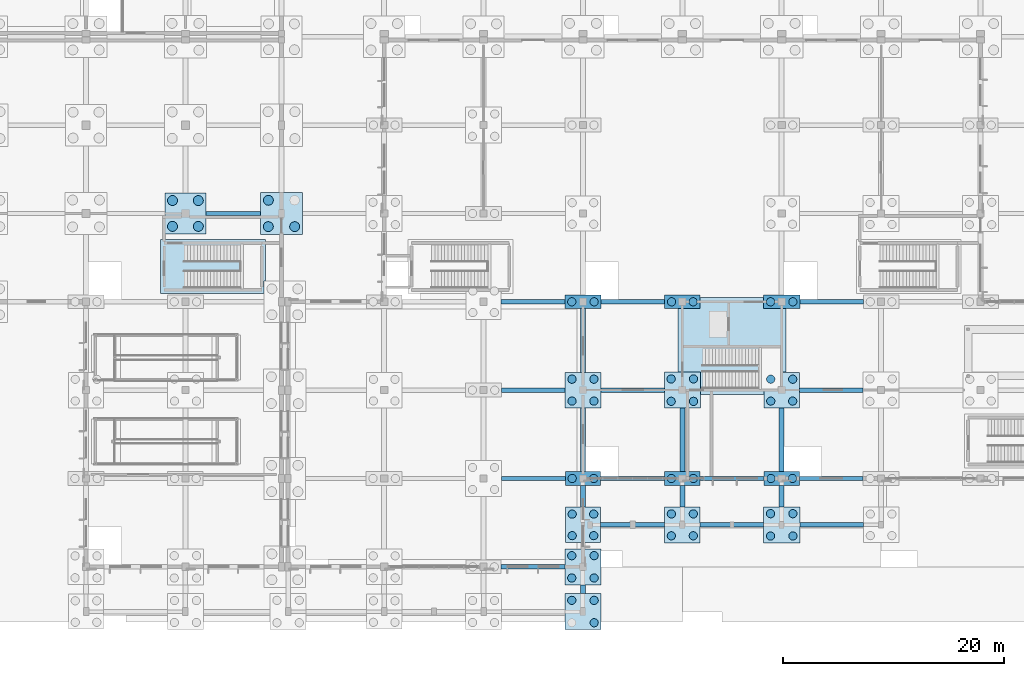
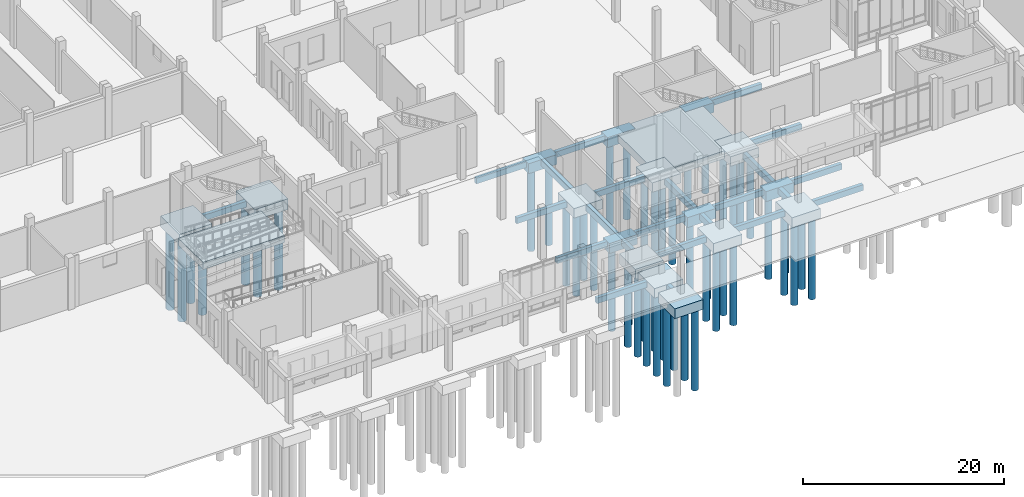
# One storey, part 5 of 99: 50 piles, 41 footings.
"""IFC4 building model written with IfcOpenShell, lengths in metres."""

from ifc_helpers import new_model, si_unit, direction, frame, origin, origin_2d, place, context, subcontext, project, spatial, polyline, rectangle, circle, outline, extrude, material, layer, layer_set, material_profile, profile_set, type_object, element, save


model = new_model("IFC4")

# Units and contexts
model_context = context("Model", 3, precision=1e-05, world=origin(), true_north=direction((0.0, 1.0)))
body_context = subcontext(model_context, "Body", "Model", "MODEL_VIEW")
ifc_project = project(units=[si_unit("LENGTHUNIT", "METRE"), si_unit("AREAUNIT", "SQUARE_METRE"), si_unit("VOLUMEUNIT", "CUBIC_METRE"), si_unit("PLANEANGLEUNIT", "RADIAN"), si_unit("MASSUNIT", "GRAM", prefix="KILO")], contexts=[model_context])

# Site, building, storey
site_placement = place(None, origin())
site = spatial("IfcSite", under=ifc_project, at=site_placement, CompositionType="ELEMENT")
building_placement = place(site_placement, origin())
building = spatial("IfcBuilding", under=site, at=building_placement, Name="Zacnel Wholesale Market", CompositionType="ELEMENT")
storey_placement = place(building_placement, origin())
storey = spatial("IfcBuildingStorey", under=building, at=storey_placement, Name="L01", CompositionType="ELEMENT", Elevation=0.0)

# Footings
ifc_material_1 = material(Name="Concrete C35/45", Category="concrete")
ifc_layer_1 = layer(ifc_material_1, 0.949951171875)
ifc_layer_set_1 = layer_set([ifc_layer_1], Name="Concrete C35/45")
footing_type_1 = type_object("IfcFootingType", Name="FTG-CORE-MAT-9500X8700", PredefinedType="PAD_FOOTING", material=ifc_layer_set_1)
footing_1_placement = place(storey_placement, frame((0.0, 0.0, -1.449951171875)))
element("IfcFooting", 1, at=footing_1_placement, inside=storey, type_object=footing_type_1, Name="Core C8 mat foundation", PredefinedType="PAD_FOOTING", context=body_context, shape_type="SweptSolid", body=[
    extrude(outline(polyline([(115.3798828125, 17.62109375), (115.3798828125, 17.62109375), (115.3798828125, 17.62109375), (115.379638671875, 17.62109375), (115.379638671875, 17.620849609375), (115.37939453125, 17.620849609375), (115.37939453125, 17.620849609375), (115.37939453125, 17.620849609375), (115.37939453125, 17.62060546875), (115.379150390625, 17.62060546875), (115.379150390625, 17.62060546875), (115.379150390625, 17.62060546875), (115.379150390625, 17.620361328125), (115.37890625, 17.620361328125), (115.37890625, 17.6201171875), (115.37890625, 17.6201171875), (115.37890625, 17.6201171875), (115.37890625, 15.60009765625), (109.635986328125, 15.60009765625), (109.635986328125, 17.635009765625), (109.635986328125, 17.635009765625), (109.635986328125, 17.63525390625), (109.635986328125, 17.63525390625), (109.635986328125, 17.635498046875), (109.635986328125, 17.635498046875), (109.6357421875, 17.635498046875), (109.6357421875, 17.635498046875), (109.6357421875, 17.6357421875), (109.635498046875, 17.6357421875), (109.635498046875, 17.6357421875), (109.635498046875, 17.635986328125), (109.635498046875, 17.635986328125), (109.63525390625, 17.635986328125), (109.63525390625, 17.635986328125), (109.635009765625, 17.635986328125), (109.635009765625, 17.635986328125), (107.60009765625, 17.635986328125), (107.60009765625, 23.3740234375), (109.60009765625, 23.3740234375), (109.60009765625, 23.3740234375), (109.60009765625, 23.3740234375), (109.600341796875, 23.3740234375), (109.600341796875, 23.3740234375), (109.6005859375, 23.3740234375), (109.6005859375, 23.374267578125), (109.6005859375, 23.374267578125), (109.6005859375, 23.374267578125), (109.600830078125, 23.37451171875), (109.600830078125, 23.37451171875), (109.600830078125, 23.37451171875), (109.600830078125, 23.37451171875), (109.60107421875, 23.374755859375), (109.60107421875, 23.374755859375), (109.60107421875, 23.375), (109.60107421875, 23.375), (109.60107421875, 24.39990234375), (115.364013671875, 24.39990234375), (115.364013671875, 23.375), (115.364013671875, 23.375), (115.364013671875, 23.374755859375), (115.364013671875, 23.374755859375), (115.364013671875, 23.37451171875), (115.364013671875, 23.37451171875), (115.3642578125, 23.37451171875), (115.3642578125, 23.37451171875), (115.3642578125, 23.374267578125), (115.364501953125, 23.374267578125), (115.364501953125, 23.374267578125), (115.364501953125, 23.3740234375), (115.364501953125, 23.3740234375), (115.36474609375, 23.3740234375), (115.36474609375, 23.3740234375), (115.364990234375, 23.3740234375), (115.364990234375, 23.3740234375), (117.39990234375, 23.3740234375), (117.39990234375, 17.62109375), (115.3798828125, 17.62109375)])), origin(), (0.0, 0.0, 1.0), 0.949951171875),
])
ifc_material_2 = material(Name="Concrete C35/45", Category="concrete")
ifc_material_profile_1 = material_profile(ifc_material_2, rectangle(XDim=0.39990234375, YDim=0.699951171875, at=origin_2d()), Name="CT 400x700")
ifc_profile_set_1 = profile_set([ifc_material_profile_1], Name="Concrete C35/45")
footing_type_2 = type_object("IfcFootingType", Name="FTG-CT400X700", PredefinedType="FOOTING_BEAM", material=ifc_profile_set_1)
footing_2_placement = place(storey_placement, frame((91.60009765625, 0.0, -0.85009765625), z_axis=(1.0, 0.0, 0.0), x_axis=(0.0, 1.0, 0.0)))
element("IfcFooting", 2, at=footing_2_placement, inside=storey, type_object=footing_type_2, Name="Ground tie beam CT-X-0255", PredefinedType="FOOTING_BEAM", context=body_context, shape_type="SweptSolid", body=[
    extrude(rectangle(XDim=0.39990234375, YDim=0.699951171875, at=origin_2d()), origin(), (0.0, 0.0, 1.0), 5.764892578125),
])
footing_3_placement = place(storey_placement, frame((100.60009765625, 3.800048828125, -0.85009765625), z_axis=(1.0, 0.0, 0.0), x_axis=(0.0, 1.0, 0.0)))
element("IfcFooting", 3, at=footing_3_placement, inside=storey, type_object=footing_type_2, Name="Ground tie beam CT-X-0264", PredefinedType="FOOTING_BEAM", context=body_context, shape_type="SweptSolid", body=[
    extrude(rectangle(XDim=0.39990234375, YDim=0.699951171875, at=origin_2d()), origin(), (0.0, 0.0, 1.0), 5.77978515625),
])
footing_4_placement = place(storey_placement, frame((109.6201171875, 3.800048828125, -0.85009765625), z_axis=(1.0, 0.0, 0.0), x_axis=(0.0, 1.0, 0.0)))
element("IfcFooting", 4, at=footing_4_placement, inside=storey, type_object=footing_type_2, Name="Ground tie beam CT-X-0265", PredefinedType="FOOTING_BEAM", context=body_context, shape_type="SweptSolid", body=[
    extrude(rectangle(XDim=0.39990234375, YDim=0.699951171875, at=origin_2d()), origin(), (0.0, 0.0, 1.0), 5.744873046875),
])
footing_5_placement = place(storey_placement, frame((118.635009765625, 3.800048828125, -0.85009765625), z_axis=(1.0, 0.0, 0.0), x_axis=(0.0, 1.0, 0.0)))
element("IfcFooting", 5, at=footing_5_placement, inside=storey, type_object=footing_type_2, Name="Ground tie beam CT-X-0266", PredefinedType="FOOTING_BEAM", context=body_context, shape_type="SweptSolid", body=[
    extrude(rectangle(XDim=0.39990234375, YDim=0.699951171875, at=origin_2d()), origin(), (0.0, 0.0, 1.0), 5.764892578125),
])
for number, where, z_axis, x_axis, name in (
    (6, (91.6201171875, 8.0, -0.85009765625), (1.0, 0.0, 0.0), (0.0, 1.0, 0.0), "Ground tie beam CT-X-0271"),
    (7, (100.60009765625, 8.0, -0.85009765625), (1.0, 0.0, 0.0), (0.0, 1.0, 0.0), "Ground tie beam CT-X-0272"),
    (8, (109.6201171875, 8.0, -0.85009765625), (1.0, 0.0, 0.0), (0.0, 1.0, 0.0), "Ground tie beam CT-X-0273"),
    (9, (118.60009765625, 8.0, -0.85009765625), (1.0, 0.0, 0.0), (0.0, 1.0, 0.0), "Ground tie beam CT-X-0274"),
):
    element("IfcFooting", number, at=place(storey_placement, frame(where, z_axis=z_axis, x_axis=x_axis)), inside=storey, type_object=footing_type_2, Name=name, PredefinedType="FOOTING_BEAM", context=body_context, shape_type="SweptSolid", body=[
        extrude(rectangle(XDim=0.39990234375, YDim=0.699951171875, at=origin_2d()), origin(), (0.0, 0.0, 1.0), 5.77978515625),
    ])
for number, where, z_axis, x_axis, name in (
    (10, (91.635009765625, 16.0, -0.85009765625), (1.0, 0.0, 0.0), (0.0, 1.0, 0.0), "Ground tie beam CT-X-0287"),
    (11, (100.6201171875, 16.0, -0.85009765625), (1.0, 0.0, 0.0), (0.0, 1.0, 0.0), "Ground tie beam CT-X-0288"),
    (12, (118.6201171875, 16.0, -0.85009765625), (1.0, 0.0, 0.0), (0.0, 1.0, 0.0), "Ground tie beam CT-X-0289"),
):
    element("IfcFooting", number, at=place(storey_placement, frame(where, z_axis=z_axis, x_axis=x_axis)), inside=storey, type_object=footing_type_2, Name=name, PredefinedType="FOOTING_BEAM", context=body_context, shape_type="SweptSolid", body=[
        extrude(rectangle(XDim=0.39990234375, YDim=0.699951171875, at=origin_2d()), origin(), (0.0, 0.0, 1.0), 5.744873046875),
    ])
for number, where, z_axis, x_axis, name in (
    (13, (91.60009765625, 24.0, -0.85009765625), (1.0, 0.0, 0.0), (0.0, 1.0, 0.0), "Ground tie beam CT-X-0307"),
    (14, (100.635009765625, 24.0, -0.85009765625), (1.0, 0.0, 0.0), (0.0, 1.0, 0.0), "Ground tie beam CT-X-0308"),
    (15, (118.635009765625, 24.0, -0.85009765625), (1.0, 0.0, 0.0), (0.0, 1.0, 0.0), "Ground tie beam CT-X-0309"),
):
    element("IfcFooting", number, at=place(storey_placement, frame(where, z_axis=z_axis, x_axis=x_axis)), inside=storey, type_object=footing_type_2, Name=name, PredefinedType="FOOTING_BEAM", context=body_context, shape_type="SweptSolid", body=[
        extrude(rectangle(XDim=0.39990234375, YDim=0.699951171875, at=origin_2d()), origin(), (0.0, 0.0, 1.0), 5.764892578125),
    ])
footing_6_placement = place(storey_placement, frame((64.8701171875, 32.0, -0.85009765625), z_axis=(1.0, 0.0, 0.0), x_axis=(0.0, 1.0, 0.0)))
element("IfcFooting", 16, at=footing_6_placement, inside=storey, type_object=footing_type_2, Name="Ground tie beam CT-X-0324", PredefinedType="FOOTING_BEAM", context=body_context, shape_type="SweptSolid", body=[
    extrude(rectangle(XDim=0.39990234375, YDim=0.699951171875, at=origin_2d()), origin(), (0.0, 0.0, 1.0), 4.93994140625),
])
ifc_material_3 = material(Name="Concrete C35/45", Category="concrete")
ifc_material_profile_2 = material_profile(ifc_material_3, rectangle(XDim=0.449951171875, YDim=0.75, at=origin_2d()), Name="CT 450x750")
ifc_profile_set_2 = profile_set([ifc_material_profile_2], Name="Concrete C35/45")
footing_type_3 = type_object("IfcFootingType", Name="FTG-CT450X750", PredefinedType="FOOTING_BEAM", material=ifc_profile_set_2)
footing_7_placement = place(storey_placement, frame((99.0, -2.4150390625, -0.875), z_axis=(0.0, 1.0, 0.0), x_axis=(-1.0, 0.0, 0.0)))
element("IfcFooting", 17, at=footing_7_placement, inside=storey, type_object=footing_type_3, Name="Ground tie beam CT-Y-0113", PredefinedType="FOOTING_BEAM", context=body_context, shape_type="SweptSolid", body=[
    extrude(rectangle(XDim=0.449951171875, YDim=0.75, at=origin_2d()), origin(), (0.0, 0.0, 1.0), 0.780029296875),
])
footing_8_placement = place(storey_placement, frame((99.0, 5.39990234375, -0.875), z_axis=(0.0, 1.0, 0.0), x_axis=(-1.0, 0.0, 0.0)))
element("IfcFooting", 18, at=footing_8_placement, inside=storey, type_object=footing_type_3, Name="Ground tie beam CT-Y-0114", PredefinedType="FOOTING_BEAM", context=body_context, shape_type="SweptSolid", body=[
    extrude(rectangle(XDim=0.449951171875, YDim=0.75, at=origin_2d()), origin(), (0.0, 0.0, 1.0), 1.97509765625),
])
for number, where, z_axis, x_axis, name in (
    (19, (99.0, 8.625, -0.875), (0.0, 1.0, 0.0), (-1.0, 0.0, 0.0), "Ground tie beam CT-Y-0115"),
    (20, (99.0, 17.6201171875, -0.875), (0.0, 1.0, 0.0), (-1.0, 0.0, 0.0), "Ground tie beam CT-Y-0116"),
):
    element("IfcFooting", number, at=place(storey_placement, frame(where, z_axis=z_axis, x_axis=x_axis)), inside=storey, type_object=footing_type_3, Name=name, PredefinedType="FOOTING_BEAM", context=body_context, shape_type="SweptSolid", body=[
        extrude(rectangle(XDim=0.449951171875, YDim=0.75, at=origin_2d()), origin(), (0.0, 0.0, 1.0), 5.7548828125),
    ])
footing_9_placement = place(storey_placement, frame((108.0, 5.419921875, -0.875), z_axis=(0.0, 1.0, 0.0), x_axis=(-1.0, 0.0, 0.0)))
element("IfcFooting", 21, at=footing_9_placement, inside=storey, type_object=footing_type_3, Name="Ground tie beam CT-Y-0122", PredefinedType="FOOTING_BEAM", context=body_context, shape_type="SweptSolid", body=[
    extrude(rectangle(XDim=0.449951171875, YDim=0.75, at=origin_2d()), origin(), (0.0, 0.0, 1.0), 1.955078125),
])
footing_10_placement = place(storey_placement, frame((108.0, 8.625, -0.875), z_axis=(0.0, 1.0, 0.0), x_axis=(-1.0, 0.0, 0.0)))
element("IfcFooting", 22, at=footing_10_placement, inside=storey, type_object=footing_type_3, Name="Ground tie beam CT-Y-0123", PredefinedType="FOOTING_BEAM", context=body_context, shape_type="SweptSolid", body=[
    extrude(rectangle(XDim=0.449951171875, YDim=0.75, at=origin_2d()), origin(), (0.0, 0.0, 1.0), 5.739990234375),
])
footing_11_placement = place(storey_placement, frame((117.0, 5.43505859375, -0.875), z_axis=(0.0, 1.0, 0.0), x_axis=(-1.0, 0.0, 0.0)))
element("IfcFooting", 23, at=footing_11_placement, inside=storey, type_object=footing_type_3, Name="Ground tie beam CT-Y-0126", PredefinedType="FOOTING_BEAM", context=body_context, shape_type="SweptSolid", body=[
    extrude(rectangle(XDim=0.449951171875, YDim=0.75, at=origin_2d()), origin(), (0.0, 0.0, 1.0), 1.93994140625),
])
footing_12_placement = place(storey_placement, frame((117.0, 8.625, -0.875), z_axis=(0.0, 1.0, 0.0), x_axis=(-1.0, 0.0, 0.0)))
element("IfcFooting", 24, at=footing_12_placement, inside=storey, type_object=footing_type_3, Name="Ground tie beam CT-Y-0127", PredefinedType="FOOTING_BEAM", context=body_context, shape_type="SweptSolid", body=[
    extrude(rectangle(XDim=0.449951171875, YDim=0.75, at=origin_2d()), origin(), (0.0, 0.0, 1.0), 5.7548828125),
])
ifc_material_4 = material(Name="Concrete C35/45", Category="concrete")
ifc_layer_2 = layer(ifc_material_4, 1.199951171875)
ifc_layer_set_2 = layer_set([ifc_layer_2], Name="Concrete C35/45")
footing_type_4 = type_object("IfcFootingType", Name="FTG-PC-3200X1250X1200", PredefinedType="PILE_CAP", material=ifc_layer_set_2)
for number, where, z_axis, x_axis, name in (
    (25, (99.0, 8.0, -1.7001953125), (0.0, 0.0, 1.0), (1.0, 0.0, 0.0), "Pile cap PC-12 (STR-PC-150)"),
    (26, (108.0, 24.0, -1.7001953125), (0.0, 0.0, 1.0), (1.0, 0.0, 0.0), "Pile cap PC-12 (STR-PC-162)"),
    (27, (117.0, 8.0, -1.7001953125), (0.0, 0.0, 1.0), (1.0, 0.0, 0.0), "Pile cap PC-12 (STR-PC-168)"),
):
    element("IfcFooting", number, at=place(storey_placement, frame(where, z_axis=z_axis, x_axis=x_axis)), inside=storey, type_object=footing_type_4, Name=name, PredefinedType="PILE_CAP", context=body_context, shape_type="SweptSolid", body=[
        extrude(rectangle(XDim=3.199951171875, YDim=1.25, at=origin_2d()), origin(), (0.0, 0.0, 1.0), 1.199951171875),
    ])
ifc_material_5 = material(Name="Concrete C35/45", Category="concrete")
ifc_layer_3 = layer(ifc_material_5, 1.199951171875)
ifc_layer_set_3 = layer_set([ifc_layer_3], Name="Concrete C35/45")
footing_type_5 = type_object("IfcFootingType", Name="FTG-PC-3200X3200X1200", PredefinedType="PILE_CAP", material=ifc_layer_set_3)
footing_13_placement = place(storey_placement, frame((99.0, 3.800048828125, -1.7001953125), z_axis=(0.0, 0.0, 1.0), x_axis=(1.0, 0.0, 0.0)))
element("IfcFooting", 28, at=footing_13_placement, inside=storey, type_object=footing_type_5, Name="Pile cap PC-21 (STR-PC-R2-BV4E-01)", PredefinedType="PILE_CAP", context=body_context, shape_type="SweptSolid", body=[
    extrude(rectangle(XDim=3.199951171875, YDim=3.199951171875, at=origin_2d()), origin(), (0.0, 0.0, 1.0), 1.199951171875),
])
ifc_material_6 = material(Name="Concrete C35/45", Category="concrete")
ifc_layer_4 = layer(ifc_material_6, 1.199951171875)
ifc_layer_set_4 = layer_set([ifc_layer_4], Name="Concrete C35/45")
footing_type_6 = type_object("IfcFootingType", Name="FTG-PC-3240X1250X1200", PredefinedType="PILE_CAP", material=ifc_layer_set_4)
footing_14_placement = place(storey_placement, frame((108.0, 8.0, -1.7001953125), z_axis=(0.0, 0.0, 1.0), x_axis=(1.0, 0.0, 0.0)))
element("IfcFooting", 29, at=footing_14_placement, inside=storey, type_object=footing_type_6, Name="Pile cap PC-10 (STR-PC-160)", PredefinedType="PILE_CAP", context=body_context, shape_type="SweptSolid", body=[
    extrude(rectangle(XDim=3.239990234375, YDim=1.25, at=origin_2d()), origin(), (0.0, 0.0, 1.0), 1.199951171875),
])
ifc_material_7 = material(Name="Concrete C35/45", Category="concrete")
ifc_layer_5 = layer(ifc_material_7, 1.14990234375)
ifc_layer_set_5 = layer_set([ifc_layer_5], Name="Concrete C35/45")
footing_type_7 = type_object("IfcFootingType", Name="FTG-PC-3240X3240X1150", PredefinedType="PILE_CAP", material=ifc_layer_set_5)
for number, where, z_axis, x_axis, name in (
    (30, (99.0, 16.0, -1.64990234375), (0.0, 0.0, 1.0), (1.0, 0.0, 0.0), "Pile cap PC-07 (STR-PC-151)"),
    (31, (117.0, 16.0, -1.64990234375), (0.0, 0.0, 1.0), (1.0, 0.0, 0.0), "Pile cap PC-07 (STR-PC-169)"),
):
    element("IfcFooting", number, at=place(storey_placement, frame(where, z_axis=z_axis, x_axis=x_axis)), inside=storey, type_object=footing_type_7, Name=name, PredefinedType="PILE_CAP", context=body_context, shape_type="SweptSolid", body=[
        extrude(rectangle(XDim=3.239990234375, YDim=3.239990234375, at=origin_2d()), origin(), (0.0, 0.0, 1.0), 1.14990234375),
    ])
ifc_material_8 = material(Name="Concrete C35/45", Category="concrete")
ifc_layer_6 = layer(ifc_material_8, 1.199951171875)
ifc_layer_set_6 = layer_set([ifc_layer_6], Name="Concrete C35/45")
footing_type_8 = type_object("IfcFootingType", Name="FTG-PC-3240X3240X1200", PredefinedType="PILE_CAP", material=ifc_layer_set_6)
footing_15_placement = place(storey_placement, frame((108.0, 3.800048828125, -1.7001953125), z_axis=(0.0, 0.0, 1.0), x_axis=(1.0, 0.0, 0.0)))
element("IfcFooting", 32, at=footing_15_placement, inside=storey, type_object=footing_type_8, Name="Pile cap PC-22 (STR-PC-R2-BV4E-02)", PredefinedType="PILE_CAP", context=body_context, shape_type="SweptSolid", body=[
    extrude(rectangle(XDim=3.239990234375, YDim=3.239990234375, at=origin_2d()), origin(), (0.0, 0.0, 1.0), 1.199951171875),
])
ifc_material_9 = material(Name="Concrete C35/45", Category="concrete")
ifc_layer_7 = layer(ifc_material_9, 1.199951171875)
ifc_layer_set_7 = layer_set([ifc_layer_7], Name="Concrete C35/45")
footing_type_9 = type_object("IfcFootingType", Name="FTG-PC-3270X1250X1200", PredefinedType="PILE_CAP", material=ifc_layer_set_7)
for number, where, z_axis, x_axis, name in (
    (33, (99.0, 24.0, -1.7001953125), (0.0, 0.0, 1.0), (1.0, 0.0, 0.0), "Pile cap PC-08 (STR-PC-152)"),
    (34, (117.0, 24.0, -1.7001953125), (0.0, 0.0, 1.0), (1.0, 0.0, 0.0), "Pile cap PC-08 (STR-PC-170)"),
):
    element("IfcFooting", number, at=place(storey_placement, frame(where, z_axis=z_axis, x_axis=x_axis)), inside=storey, type_object=footing_type_9, Name=name, PredefinedType="PILE_CAP", context=body_context, shape_type="SweptSolid", body=[
        extrude(rectangle(XDim=3.27001953125, YDim=1.25, at=origin_2d()), origin(), (0.0, 0.0, 1.0), 1.199951171875),
    ])
ifc_material_10 = material(Name="Concrete C35/45", Category="concrete")
ifc_layer_8 = layer(ifc_material_10, 1.14990234375)
ifc_layer_set_8 = layer_set([ifc_layer_8], Name="Concrete C35/45")
footing_type_10 = type_object("IfcFootingType", Name="FTG-PC-3270X3270X1150", PredefinedType="PILE_CAP", material=ifc_layer_set_8)
for number, where, z_axis, x_axis, name in (
    (35, (99.0, 0.0, -1.64990234375), (0.0, 0.0, 1.0), (1.0, 0.0, 0.0), "Pile cap PC-11 (STR-PC-149)"),
    (36, (108.0, 16.0, -1.64990234375), (0.0, 0.0, 1.0), (1.0, 0.0, 0.0), "Pile cap PC-11 (STR-PC-161)"),
):
    element("IfcFooting", number, at=place(storey_placement, frame(where, z_axis=z_axis, x_axis=x_axis)), inside=storey, type_object=footing_type_10, Name=name, PredefinedType="PILE_CAP", context=body_context, shape_type="SweptSolid", body=[
        extrude(rectangle(XDim=3.27001953125, YDim=3.27001953125, at=origin_2d()), origin(), (0.0, 0.0, 1.0), 1.14990234375),
    ])
ifc_material_11 = material(Name="Concrete C35/45", Category="concrete")
ifc_layer_9 = layer(ifc_material_11, 1.199951171875)
ifc_layer_set_9 = layer_set([ifc_layer_9], Name="Concrete C35/45")
footing_type_11 = type_object("IfcFootingType", Name="FTG-PC-3270X3270X1200", PredefinedType="PILE_CAP", material=ifc_layer_set_9)
for number, where, z_axis, x_axis, name in (
    (37, (99.0, -4.050048828125, -1.7001953125), (0.0, 0.0, 1.0), (1.0, 0.0, 0.0), "Pile cap PC-23 (STR-PC-R2-BV4W-06)"),
    (38, (117.0, 3.800048828125, -1.7001953125), (0.0, 0.0, 1.0), (1.0, 0.0, 0.0), "Pile cap PC-23 (STR-PC-R2-BV4E-03)"),
):
    element("IfcFooting", number, at=place(storey_placement, frame(where, z_axis=z_axis, x_axis=x_axis)), inside=storey, type_object=footing_type_11, Name=name, PredefinedType="PILE_CAP", context=body_context, shape_type="SweptSolid", body=[
        extrude(rectangle(XDim=3.27001953125, YDim=3.27001953125, at=origin_2d()), origin(), (0.0, 0.0, 1.0), 1.199951171875),
    ])
ifc_material_12 = material(Name="Concrete C35/45", Category="concrete")
ifc_layer_10 = layer(ifc_material_12, 1.300048828125)
ifc_layer_set_10 = layer_set([ifc_layer_10], Name="Concrete C35/45")
footing_type_12 = type_object("IfcFootingType", Name="FTG-PC-3740X3740X1300", PredefinedType="PILE_CAP", material=ifc_layer_set_10)
footing_16_placement = place(storey_placement, frame((63.0, 32.0, -1.7998046875), z_axis=(0.0, 0.0, 1.0), x_axis=(1.0, 0.0, 0.0)))
element("IfcFooting", 39, at=footing_16_placement, inside=storey, type_object=footing_type_12, Name="Pile cap PC-03 (STR-PC-099)", PredefinedType="PILE_CAP", context=body_context, shape_type="SweptSolid", body=[
    extrude(rectangle(XDim=3.739990234375, YDim=3.739990234375, at=origin_2d()), origin(), (0.0, 0.0, 1.0), 1.300048828125),
])
ifc_material_13 = material(Name="Concrete C35/45", Category="concrete")
ifc_layer_11 = layer(ifc_material_13, 1.300048828125)
ifc_layer_set_11 = layer_set([ifc_layer_11], Name="Concrete C35/45")
footing_type_13 = type_object("IfcFootingType", Name="FTG-PC-3780X3780X1300", PredefinedType="PILE_CAP", material=ifc_layer_set_11)
footing_17_placement = place(storey_placement, frame((71.699951171875, 32.0, -1.7998046875), z_axis=(0.0, 0.0, 1.0), x_axis=(1.0, 0.0, 0.0)))
element("IfcFooting", 40, at=footing_17_placement, inside=storey, type_object=footing_type_13, Name="Pile cap PC-01 (STR-PC-115)", PredefinedType="PILE_CAP", context=body_context, shape_type="SweptSolid", body=[
    extrude(rectangle(XDim=3.780029296875, YDim=3.780029296875, at=origin_2d()), origin(), (0.0, 0.0, 1.0), 1.300048828125),
])
ifc_material_14 = material(Name="Concrete C35/45", Category="concrete")
ifc_layer_12 = layer(ifc_material_14, 0.85009765625)
ifc_layer_set_12 = layer_set([ifc_layer_12], Name="Concrete C35/45")
footing_type_14 = type_object("IfcFootingType", Name="FTG-STAIR-MAT-7800X6800", PredefinedType="PAD_FOOTING", material=ifc_layer_set_12)
footing_18_placement = place(storey_placement, frame((0.0, 0.0, -1.35009765625)))
element("IfcFooting", 41, at=footing_18_placement, inside=storey, type_object=footing_type_14, Name="Stair ST-23 mat footing 018", PredefinedType="PAD_FOOTING", context=body_context, shape_type="SweptSolid", body=[
    extrude(outline(polyline([(60.75, 24.75), (60.75, 29.64990234375), (70.25, 29.64990234375), (70.25, 25.8720703125), (70.1298828125, 25.8720703125), (70.1298828125, 25.8720703125), (70.129638671875, 25.8720703125), (70.12939453125, 25.871826171875), (70.129150390625, 25.871826171875), (70.129150390625, 25.871826171875), (70.12890625, 25.87158203125), (70.128662109375, 25.87158203125), (70.128662109375, 25.871337890625), (70.12841796875, 25.871337890625), (70.12841796875, 25.87109375), (70.128173828125, 25.870849609375), (70.128173828125, 25.870849609375), (70.128173828125, 25.87060546875), (70.1279296875, 25.870361328125), (70.1279296875, 25.8701171875), (70.1279296875, 25.8701171875), (70.1279296875, 24.75), (60.75, 24.75)])), origin(), (0.0, 0.0, 1.0), 0.85009765625),
])

# Piles
ifc_material_15 = material(Name="Concrete C35/45", Category="concrete")
ifc_material_profile_3 = material_profile(ifc_material_15, circle(Radius=0.375, at=origin_2d()), Name="BORED PILE D750")
ifc_profile_set_3 = profile_set([ifc_material_profile_3], Name="Concrete C35/45")
pile_type_1 = type_object("IfcPileType", Name="PILE-BORED-750", PredefinedType="BORED", material=ifc_profile_set_3)
for number, where, z_axis, x_axis, name in (
    (42, (97.987548828125, -1.012451171875, -1.550048828125), (0.0, 0.0, -1.0), (1.0, 0.0, 0.0), "Bored pile STR-PILE-149-01"),
    (43, (97.987548828125, 1.012451171875, -1.550048828125), (0.0, 0.0, -1.0), (1.0, 0.0, 0.0), "Bored pile STR-PILE-149-02"),
    (44, (100.012451171875, -1.012451171875, -1.550048828125), (0.0, 0.0, -1.0), (1.0, 0.0, 0.0), "Bored pile STR-PILE-149-03"),
    (45, (100.012451171875, 1.012451171875, -1.550048828125), (0.0, 0.0, -1.0), (1.0, 0.0, 0.0), "Bored pile STR-PILE-149-04"),
):
    element("IfcPile", number, at=place(storey_placement, frame(where, z_axis=z_axis, x_axis=x_axis)), inside=storey, type_object=pile_type_1, Name=name, PredefinedType="BORED", context=body_context, shape_type="SweptSolid", body=[
        extrude(circle(Radius=0.375, at=origin_2d()), origin(), (0.0, 0.0, 1.0), 9.949951171875),
    ])
for number, where, z_axis, x_axis, name in (
    (46, (98.02490234375, 8.0, -1.60009765625), (0.0, 0.0, -1.0), (1.0, 0.0, 0.0), "Bored pile STR-PILE-150-01"),
    (47, (99.97509765625, 8.0, -1.60009765625), (0.0, 0.0, -1.0), (1.0, 0.0, 0.0), "Bored pile STR-PILE-150-02"),
):
    element("IfcPile", number, at=place(storey_placement, frame(where, z_axis=z_axis, x_axis=x_axis)), inside=storey, type_object=pile_type_1, Name=name, PredefinedType="BORED", context=body_context, shape_type="SweptSolid", body=[
        extrude(circle(Radius=0.375, at=origin_2d()), origin(), (0.0, 0.0, 1.0), 9.89990234375),
    ])
for number, where, z_axis, x_axis, name in (
    (48, (98.006591796875, 15.006591796875, -1.550048828125), (0.0, 0.0, -1.0), (1.0, 0.0, 0.0), "Bored pile STR-PILE-151-01"),
    (49, (98.006591796875, 16.993408203125, -1.550048828125), (0.0, 0.0, -1.0), (1.0, 0.0, 0.0), "Bored pile STR-PILE-151-02"),
    (50, (99.993408203125, 15.006591796875, -1.550048828125), (0.0, 0.0, -1.0), (1.0, 0.0, 0.0), "Bored pile STR-PILE-151-03"),
    (51, (99.993408203125, 16.993408203125, -1.550048828125), (0.0, 0.0, -1.0), (1.0, 0.0, 0.0), "Bored pile STR-PILE-151-04"),
):
    element("IfcPile", number, at=place(storey_placement, frame(where, z_axis=z_axis, x_axis=x_axis)), inside=storey, type_object=pile_type_1, Name=name, PredefinedType="BORED", context=body_context, shape_type="SweptSolid", body=[
        extrude(circle(Radius=0.375, at=origin_2d()), origin(), (0.0, 0.0, 1.0), 9.949951171875),
    ])
for number, where, z_axis, x_axis, name in (
    (52, (97.987548828125, 24.0, -1.60009765625), (0.0, 0.0, -1.0), (1.0, 0.0, 0.0), "Bored pile STR-PILE-152-01"),
    (53, (100.012451171875, 24.0, -1.60009765625), (0.0, 0.0, -1.0), (1.0, 0.0, 0.0), "Bored pile STR-PILE-152-02"),
    (54, (107.006591796875, 8.0, -1.60009765625), (0.0, 0.0, -1.0), (1.0, 0.0, 0.0), "Bored pile STR-PILE-160-01"),
    (55, (108.993408203125, 8.0, -1.60009765625), (0.0, 0.0, -1.0), (1.0, 0.0, 0.0), "Bored pile STR-PILE-160-02"),
):
    element("IfcPile", number, at=place(storey_placement, frame(where, z_axis=z_axis, x_axis=x_axis)), inside=storey, type_object=pile_type_1, Name=name, PredefinedType="BORED", context=body_context, shape_type="SweptSolid", body=[
        extrude(circle(Radius=0.375, at=origin_2d()), origin(), (0.0, 0.0, 1.0), 9.89990234375),
    ])
for number, where, z_axis, x_axis, name in (
    (56, (106.987548828125, 14.987548828125, -1.550048828125), (0.0, 0.0, -1.0), (1.0, 0.0, 0.0), "Bored pile STR-PILE-161-01"),
    (57, (106.987548828125, 17.012451171875, -1.550048828125), (0.0, 0.0, -1.0), (1.0, 0.0, 0.0), "Bored pile STR-PILE-161-02"),
    (58, (109.012451171875, 14.987548828125, -1.550048828125), (0.0, 0.0, -1.0), (1.0, 0.0, 0.0), "Bored pile STR-PILE-161-03"),
    (59, (109.012451171875, 17.012451171875, -1.550048828125), (0.0, 0.0, -1.0), (1.0, 0.0, 0.0), "Bored pile STR-PILE-161-04"),
):
    element("IfcPile", number, at=place(storey_placement, frame(where, z_axis=z_axis, x_axis=x_axis)), inside=storey, type_object=pile_type_1, Name=name, PredefinedType="BORED", context=body_context, shape_type="SweptSolid", body=[
        extrude(circle(Radius=0.375, at=origin_2d()), origin(), (0.0, 0.0, 1.0), 9.949951171875),
    ])
for number, where, z_axis, x_axis, name in (
    (60, (107.02490234375, 24.0, -1.60009765625), (0.0, 0.0, -1.0), (1.0, 0.0, 0.0), "Bored pile STR-PILE-162-01"),
    (61, (108.97509765625, 24.0, -1.60009765625), (0.0, 0.0, -1.0), (1.0, 0.0, 0.0), "Bored pile STR-PILE-162-02"),
    (62, (116.02490234375, 8.0, -1.60009765625), (0.0, 0.0, -1.0), (1.0, 0.0, 0.0), "Bored pile STR-PILE-168-01"),
    (63, (117.97509765625, 8.0, -1.60009765625), (0.0, 0.0, -1.0), (1.0, 0.0, 0.0), "Bored pile STR-PILE-168-02"),
):
    element("IfcPile", number, at=place(storey_placement, frame(where, z_axis=z_axis, x_axis=x_axis)), inside=storey, type_object=pile_type_1, Name=name, PredefinedType="BORED", context=body_context, shape_type="SweptSolid", body=[
        extrude(circle(Radius=0.375, at=origin_2d()), origin(), (0.0, 0.0, 1.0), 9.89990234375),
    ])
for number, where, z_axis, x_axis, name in (
    (64, (116.006591796875, 15.006591796875, -1.550048828125), (0.0, 0.0, -1.0), (1.0, 0.0, 0.0), "Bored pile STR-PILE-169-01"),
    (65, (116.006591796875, 16.993408203125, -1.550048828125), (0.0, 0.0, -1.0), (1.0, 0.0, 0.0), "Bored pile STR-PILE-169-02"),
    (66, (117.993408203125, 15.006591796875, -1.550048828125), (0.0, 0.0, -1.0), (1.0, 0.0, 0.0), "Bored pile STR-PILE-169-03"),
    (67, (117.993408203125, 16.993408203125, -1.550048828125), (0.0, 0.0, -1.0), (1.0, 0.0, 0.0), "Bored pile STR-PILE-169-04"),
):
    element("IfcPile", number, at=place(storey_placement, frame(where, z_axis=z_axis, x_axis=x_axis)), inside=storey, type_object=pile_type_1, Name=name, PredefinedType="BORED", context=body_context, shape_type="SweptSolid", body=[
        extrude(circle(Radius=0.375, at=origin_2d()), origin(), (0.0, 0.0, 1.0), 9.949951171875),
    ])
for number, where, z_axis, x_axis, name in (
    (68, (115.987548828125, 24.0, -1.60009765625), (0.0, 0.0, -1.0), (1.0, 0.0, 0.0), "Bored pile STR-PILE-170-01"),
    (69, (118.012451171875, 24.0, -1.60009765625), (0.0, 0.0, -1.0), (1.0, 0.0, 0.0), "Bored pile STR-PILE-170-02"),
    (70, (97.987548828125, -3.03759765625, -1.60009765625), (0.0, 0.0, -1.0), (1.0, 0.0, 0.0), "Bored pile STR-PILE-R2-BV4W-06-02"),
    (71, (100.012451171875, -5.0625, -1.60009765625), (0.0, 0.0, -1.0), (1.0, 0.0, 0.0), "Bored pile STR-PILE-R2-BV4W-06-03"),
    (72, (100.012451171875, -3.03759765625, -1.60009765625), (0.0, 0.0, -1.0), (1.0, 0.0, 0.0), "Bored pile STR-PILE-R2-BV4W-06-04"),
    (73, (98.02490234375, 2.824951171875, -1.60009765625), (0.0, 0.0, -1.0), (1.0, 0.0, 0.0), "Bored pile STR-PILE-R2-BV4E-01-01"),
    (74, (98.02490234375, 4.77490234375, -1.60009765625), (0.0, 0.0, -1.0), (1.0, 0.0, 0.0), "Bored pile STR-PILE-R2-BV4E-01-02"),
    (75, (99.97509765625, 2.824951171875, -1.60009765625), (0.0, 0.0, -1.0), (1.0, 0.0, 0.0), "Bored pile STR-PILE-R2-BV4E-01-03"),
    (76, (99.97509765625, 4.77490234375, -1.60009765625), (0.0, 0.0, -1.0), (1.0, 0.0, 0.0), "Bored pile STR-PILE-R2-BV4E-01-04"),
    (77, (107.006591796875, 2.806396484375, -1.60009765625), (0.0, 0.0, -1.0), (1.0, 0.0, 0.0), "Bored pile STR-PILE-R2-BV4E-02-01"),
    (78, (107.006591796875, 4.79345703125, -1.60009765625), (0.0, 0.0, -1.0), (1.0, 0.0, 0.0), "Bored pile STR-PILE-R2-BV4E-02-02"),
    (79, (108.993408203125, 2.806396484375, -1.60009765625), (0.0, 0.0, -1.0), (1.0, 0.0, 0.0), "Bored pile STR-PILE-R2-BV4E-02-03"),
    (80, (108.993408203125, 4.79345703125, -1.60009765625), (0.0, 0.0, -1.0), (1.0, 0.0, 0.0), "Bored pile STR-PILE-R2-BV4E-02-04"),
    (81, (115.987548828125, 2.78759765625, -1.60009765625), (0.0, 0.0, -1.0), (1.0, 0.0, 0.0), "Bored pile STR-PILE-R2-BV4E-03-01"),
    (82, (115.987548828125, 4.8125, -1.60009765625), (0.0, 0.0, -1.0), (1.0, 0.0, 0.0), "Bored pile STR-PILE-R2-BV4E-03-02"),
    (83, (118.012451171875, 2.78759765625, -1.60009765625), (0.0, 0.0, -1.0), (1.0, 0.0, 0.0), "Bored pile STR-PILE-R2-BV4E-03-03"),
    (84, (118.012451171875, 4.8125, -1.60009765625), (0.0, 0.0, -1.0), (1.0, 0.0, 0.0), "Bored pile STR-PILE-R2-BV4E-03-04"),
):
    element("IfcPile", number, at=place(storey_placement, frame(where, z_axis=z_axis, x_axis=x_axis)), inside=storey, type_object=pile_type_1, Name=name, PredefinedType="BORED", context=body_context, shape_type="SweptSolid", body=[
        extrude(circle(Radius=0.375, at=origin_2d()), origin(), (0.0, 0.0, 1.0), 9.89990234375),
    ])
ifc_material_16 = material(Name="Concrete C35/45", Category="concrete")
ifc_material_profile_4 = material_profile(ifc_material_16, circle(Radius=0.449951171875, at=origin_2d()), Name="BORED PILE D900")
ifc_profile_set_4 = profile_set([ifc_material_profile_4], Name="Concrete C35/45")
pile_type_2 = type_object("IfcPileType", Name="PILE-BORED-900", PredefinedType="BORED", material=ifc_profile_set_4)
for number, where, z_axis, x_axis, name in (
    (85, (61.830078125, 30.830078125, -1.699951171875), (0.0, 0.0, -1.0), (1.0, 0.0, 0.0), "Bored pile STR-PILE-099-01"),
    (86, (61.830078125, 33.169921875, -1.699951171875), (0.0, 0.0, -1.0), (1.0, 0.0, 0.0), "Bored pile STR-PILE-099-02"),
    (87, (64.169921875, 30.830078125, -1.699951171875), (0.0, 0.0, -1.0), (1.0, 0.0, 0.0), "Bored pile STR-PILE-099-03"),
    (88, (64.169921875, 33.169921875, -1.699951171875), (0.0, 0.0, -1.0), (1.0, 0.0, 0.0), "Bored pile STR-PILE-099-04"),
    (89, (70.507568359375, 30.8076171875, -1.699951171875), (0.0, 0.0, -1.0), (1.0, 0.0, 0.0), "Bored pile STR-PILE-115-01"),
    (90, (70.507568359375, 33.1923828125, -1.699951171875), (0.0, 0.0, -1.0), (1.0, 0.0, 0.0), "Bored pile STR-PILE-115-02"),
    (91, (72.892578125, 30.8076171875, -1.699951171875), (0.0, 0.0, -1.0), (1.0, 0.0, 0.0), "Bored pile STR-PILE-115-03"),
):
    element("IfcPile", number, at=place(storey_placement, frame(where, z_axis=z_axis, x_axis=x_axis)), inside=storey, type_object=pile_type_2, Name=name, PredefinedType="BORED", context=body_context, shape_type="SweptSolid", body=[
        extrude(circle(Radius=0.449951171875, at=origin_2d()), origin(), (0.0, 0.0, 1.0), 9.800048828125),
    ])

save(model, "model.ifc")
